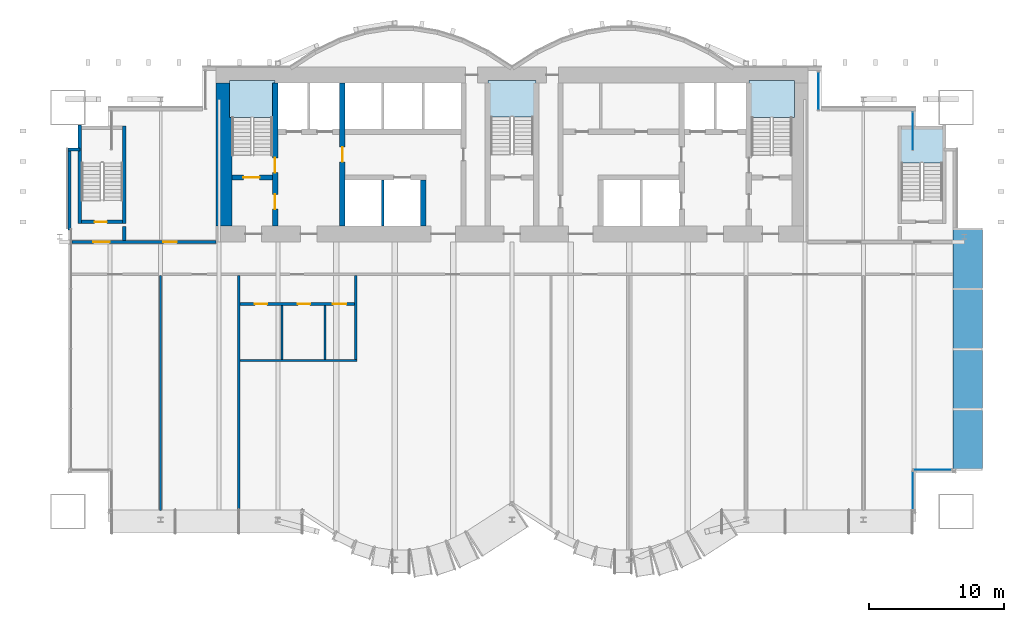
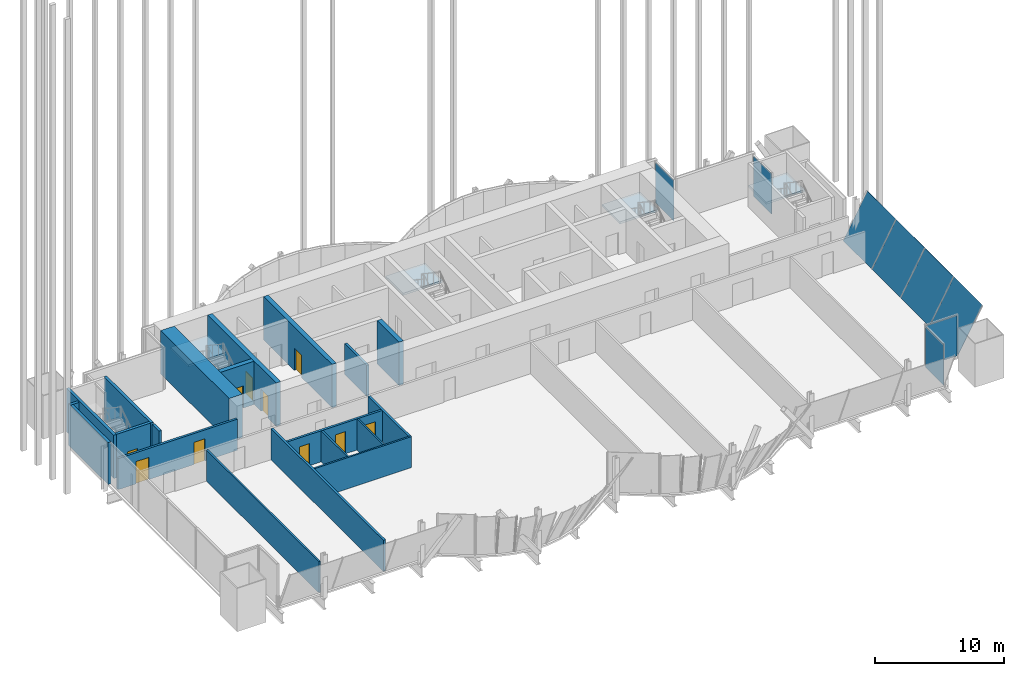
# One storey, part 28 of 33: 20 walls, 10 doors, 8 plates, 4 slabs, 10 openings, 9 elements without a shape of their own.
"""IFC4 building model written with IfcOpenShell, lengths in metres."""

import ifcopenshell
import ifcopenshell.guid

model = None  # the IFC model being written
_history = None  # IfcOwnerHistory: only IFC2X3 demands one
_inside = {}  # id of a spatial element -> (the spatial element, [elements in it])
_under = {}  # id of a project, library or spatial element -> (it, [spatial elements below it])
_declared = {}  # id of a project -> (the project, [libraries it declares])
_typed = {}  # id of a type object -> (the type object, [elements of that type])
_made_of = {}  # id of a material, layer set ... -> (it, [elements and type objects made of it])


def new_model(schema):
    """Start an empty IFC model of exactly this schema.

    Asked for "IFC4X3", IfcOpenShell would pick the latest addendum, in which some entities
    have other attributes; the version numbers below select the first issue.
    IFC2X3 requires an IfcOwnerHistory on every rooted entity: one is made here for all.
    """
    global model, _history
    if schema == "IFC4X3":
        model = ifcopenshell.file(schema_version=(4, 3, 0, 0))
    else:
        model = ifcopenshell.file(schema=schema)
    _inside.clear()
    _under.clear()
    _declared.clear()
    _typed.clear()
    _made_of.clear()
    _history = None
    if model.schema == "IFC2X3":
        org = make("IfcOrganization", Name="unknown")
        user = make(
            "IfcPersonAndOrganization",
            ThePerson=make("IfcPerson", FamilyName="unknown"),
            TheOrganization=org,
        )
        app = make(
            "IfcApplication",
            ApplicationDeveloper=org,
            Version="unknown",
            ApplicationFullName="unknown",
            ApplicationIdentifier="unknown",
        )
        _history = make(
            "IfcOwnerHistory",
            OwningUser=user,
            OwningApplication=app,
            ChangeAction="ADDED",
            CreationDate=0,
        )
    return model


def make(cls, **values):
    """One entity of the class cls with the attributes given. An attribute that is None is left unset."""
    return model.create_entity(
        cls, **{name: value for name, value in values.items() if value is not None}
    )


def rooted(cls, **values):
    """An entity with a GlobalId (a new one), such as an element, a storey or a relation."""
    return make(cls, GlobalId=ifcopenshell.guid.new(), OwnerHistory=_history, **values)


def si_unit(unit_type, name, prefix=None):
    """IfcSIUnit, for example si_unit("LENGTHUNIT", "METRE", prefix="MILLI")."""
    return make("IfcSIUnit", UnitType=unit_type, Prefix=prefix, Name=name)


def assignment(units):
    """IfcUnitAssignment: the units of a project."""
    return None if units is None else make("IfcUnitAssignment", Units=units)


def point(xyz):
    """IfcCartesianPoint."""
    return None if xyz is None else make("IfcCartesianPoint", Coordinates=xyz)


def direction(xyz):
    """IfcDirection."""
    return None if xyz is None else make("IfcDirection", DirectionRatios=xyz)


def frame(location, z_axis=None, x_axis=None):
    """IfcAxis2Placement3D, a coordinate frame: its origin and axes. An axis left out is left unset."""
    return make(
        "IfcAxis2Placement3D",
        Location=point(location),
        Axis=direction(z_axis),
        RefDirection=direction(x_axis),
    )


def frame_2d(location, x_axis=None):
    """IfcAxis2Placement2D, a coordinate frame in the plane: its origin and x axis."""
    return make(
        "IfcAxis2Placement2D", Location=point(location), RefDirection=direction(x_axis)
    )


def origin():
    """The frame at (0, 0, 0) with its axes left unset."""
    return frame((0.0, 0.0, 0.0))


def origin_2d():
    """The frame at (0, 0) in the plane with its x axis left unset."""
    return frame_2d((0.0, 0.0))


def place(relative_to, where):
    """IfcLocalPlacement: puts the frame where relative to a parent placement (None: the world)."""
    return make(
        "IfcLocalPlacement", PlacementRelTo=relative_to, RelativePlacement=where
    )


def context(
    kind, dimensions, precision=None, world=None, true_north=None, identifier=None
):
    """IfcGeometricRepresentationContext, for example the 3D "Model" context."""
    return make(
        "IfcGeometricRepresentationContext",
        ContextIdentifier=identifier,
        ContextType=kind,
        CoordinateSpaceDimension=dimensions,
        Precision=precision,
        WorldCoordinateSystem=world,
        TrueNorth=true_north,
    )


def subcontext(parent, identifier, kind, view, scale=None):
    """IfcGeometricRepresentationSubContext, for example "Body" below "Model"."""
    return make(
        "IfcGeometricRepresentationSubContext",
        ContextIdentifier=identifier,
        ContextType=kind,
        ParentContext=parent,
        TargetScale=scale,
        TargetView=view,
    )


def project(units=None, contexts=None):
    """IfcProject with its units and contexts."""
    return rooted(
        "IfcProject",
        Name="project",
        RepresentationContexts=contexts,
        UnitsInContext=assignment(units),
    )


def spatial(cls, under=None, at=None, **own):
    """A site, building, storey or space (cls), placed at a placement, below another one or the project."""
    s = rooted(cls, ObjectPlacement=at, **own)
    if under is not None:
        _under.setdefault(under.id(), (under, []))[1].append(s)
    return s


def polyline(points):
    """IfcPolyline through the points."""
    return make("IfcPolyline", Points=[point(p) for p in points])


def profile(cls, at=None, kind="AREA", **sizes):
    """A parametric profile (cls). Its sizes go by their IFC names, for example OverallWidth=200.0."""
    return make(cls, ProfileType=kind, Position=at, **sizes)


def rectangle(**sizes):
    """IfcRectangleProfileDef."""
    return profile("IfcRectangleProfileDef", **sizes)


def outline(outer, holes=None, kind="AREA"):
    """IfcArbitraryClosedProfileDef: a profile drawn as a closed curve; with holes, ...WithVoids."""
    if holes is None:
        return make("IfcArbitraryClosedProfileDef", ProfileType=kind, OuterCurve=outer)
    return make(
        "IfcArbitraryProfileDefWithVoids",
        ProfileType=kind,
        OuterCurve=outer,
        InnerCurves=holes,
    )


def extrude(swept, where, along, depth):
    """IfcExtrudedAreaSolid: the profile swept, set in the frame where, extruded along a direction by depth."""
    return make(
        "IfcExtrudedAreaSolid",
        SweptArea=swept,
        Position=where,
        ExtrudedDirection=direction(along),
        Depth=depth,
    )


def shape(context_of_items, identifier, shape_type, items):
    """IfcShapeRepresentation: the items that make up one representation, for example the "Body"."""
    return make(
        "IfcShapeRepresentation",
        ContextOfItems=context_of_items,
        RepresentationIdentifier=identifier,
        RepresentationType=shape_type,
        Items=items,
    )


def material(Name=None, Category=None):
    """IfcMaterial."""
    return make("IfcMaterial", Name=Name, Category=Category)


def layer(
    of_material, thickness, ventilated=None, Name=None, Category=None, Priority=None
):
    """IfcMaterialLayer: one layer of a wall or slab, of a material (None: an air gap)."""
    return make(
        "IfcMaterialLayer",
        Material=of_material,
        LayerThickness=thickness,
        IsVentilated=ventilated,
        Name=Name,
        Category=Category,
        Priority=Priority,
    )


def layer_set(layers, Name=None):
    """IfcMaterialLayerSet."""
    return make("IfcMaterialLayerSet", MaterialLayers=layers, LayerSetName=Name)


def layer_usage(for_layer_set, set_direction, sense, offset, extent=None):
    """IfcMaterialLayerSetUsage: how a layer set lies in its element."""
    return make(
        "IfcMaterialLayerSetUsage",
        ForLayerSet=for_layer_set,
        LayerSetDirection=set_direction,
        DirectionSense=sense,
        OffsetFromReferenceLine=offset,
        ReferenceExtent=extent,
    )


def made_of(thing, what):
    """Note that an element or type object is made of a material, layer set ...; save() writes the relation."""
    if what is not None:
        _made_of.setdefault(what.id(), (what, []))[1].append(thing)
    return thing


def type_object(cls, material=None, **own):
    """A type object (cls), such as IfcWallType, which elements share."""
    return made_of(rooted(cls, **own), material)


def element(
    cls,
    number,
    at=None,
    inside=None,
    cuts=None,
    type_object=None,
    material=None,
    context=None,
    identifier="Body",
    shape_type=None,
    held_by="IfcProductDefinitionShape",
    body=None,
    shapes=None,
    **own,
):
    """One element of the class cls, such as IfcWall. Its Tag is "e" and its number.

    at: its placement. inside: the storey or other place that contains it. cuts: it is an
    opening in that element (IfcRelVoidsElement). A single representation is given by context,
    identifier, shape_type and body (its items); several are given by shapes. held_by: the class
    of the entity that holds the representations. save() writes the other relations.
    """
    e = rooted(cls, Tag="e%d" % number, ObjectPlacement=at, **own)
    if body is not None:
        shapes = [shape(context, identifier, shape_type, body)]
    if shapes is not None:
        e.Representation = make(held_by, Representations=shapes)
    if inside is not None:
        _inside.setdefault(inside.id(), (inside, []))[1].append(e)
    if cuts is not None:
        rooted(
            "IfcRelVoidsElement", RelatingBuildingElement=cuts, RelatedOpeningElement=e
        )
    if type_object is not None:
        _typed.setdefault(type_object.id(), (type_object, []))[1].append(e)
    return made_of(e, material)


def fill(opening, filler):
    """IfcRelFillsElement: the door or window that sits in an opening."""
    return rooted(
        "IfcRelFillsElement",
        RelatingOpeningElement=opening,
        RelatedBuildingElement=filler,
    )


def aggregate(whole, parts):
    """IfcRelAggregates: a whole, such as a stair, and the parts it consists of."""
    return rooted("IfcRelAggregates", RelatingObject=whole, RelatedObjects=parts)


def save(model, path):
    """Write the relations noted so far, then the file.

    IfcRelAggregates (storeys below a building ...), IfcRelContainedInSpatialStructure (elements
    in a storey), IfcRelDefinesByType, IfcRelAssociatesMaterial and IfcRelDeclares: one each for
    every whole, place, type object, material and project.
    """
    for whole, parts in _under.values():
        aggregate(whole, parts)
    for where, things in _inside.values():
        rooted(
            "IfcRelContainedInSpatialStructure",
            RelatedElements=things,
            RelatingStructure=where,
        )
    for kind, things in _typed.values():
        rooted("IfcRelDefinesByType", RelatedObjects=things, RelatingType=kind)
    for what, things in _made_of.values():
        rooted("IfcRelAssociatesMaterial", RelatedObjects=things, RelatingMaterial=what)
    for by, libraries in _declared.values():
        rooted("IfcRelDeclares", RelatingContext=by, RelatedDefinitions=libraries)
    model.write(path)


model = new_model("IFC4")

# Units and contexts
model_context = context("Model", 3, precision=1e-05, world=origin(), true_north=direction((0.0, 1.0)))
body_context = subcontext(model_context, "Body", "Model", "MODEL_VIEW")
ifc_project = project(units=[si_unit("LENGTHUNIT", "METRE"), si_unit("AREAUNIT", "SQUARE_METRE"), si_unit("VOLUMEUNIT", "CUBIC_METRE"), si_unit("PLANEANGLEUNIT", "RADIAN"), si_unit("MASSUNIT", "GRAM", prefix="KILO")], contexts=[model_context])

# Site, building, storey
site_placement = place(None, origin())
site = spatial("IfcSite", under=ifc_project, at=site_placement, CompositionType="ELEMENT")
building_placement = place(site_placement, origin())
building = spatial("IfcBuilding", under=site, at=building_placement, Name="Bicima Exchange Tower", CompositionType="ELEMENT")
storey_placement = place(building_placement, frame((0.0, 0.0, 140.39990234375)))
storey = spatial("IfcBuildingStorey", under=building, at=storey_placement, Name="L30", CompositionType="ELEMENT", Elevation=140.39990234375)

# Curtain wall, plate
ifc_material_1 = material(Name="Anodised bronze aluminium", Category="aluminium")
curtain_wall_type = type_object("IfcCurtainWallType", Name="Front glass wall", PredefinedType="NOTDEFINED", material=ifc_material_1)
curtain_wall_1_placement = place(storey_placement, origin())
curtain_wall_1 = element("IfcCurtainWall", 1, at=curtain_wall_1_placement, inside=storey, type_object=curtain_wall_type, Name="Front glass wall L30 run 2", PredefinedType="NOTDEFINED")
ifc_material_2 = material(Name="Bronze tinted glass", Category="glass")
ifc_layer_1 = layer(ifc_material_2, 0.031982421875)
ifc_layer_set_1 = layer_set([ifc_layer_1], Name="Bronze tinted glass")
plate_type_1 = type_object("IfcPlateType", Name="Front glass wall glass panel 32", PredefinedType="CURTAIN_PANEL", material=ifc_layer_set_1)
plate_1_placement = place(storey_placement, frame((29.77001953125, -4.77001953125, 0.0), z_axis=(0.0, 0.0, 1.0), x_axis=(0.0, 1.0, 0.0)))
plate_1 = element("IfcPlate", 2, at=plate_1_placement, type_object=plate_type_1, Name="Front glass wall panel 1.1", PredefinedType="CURTAIN_PANEL", context=body_context, shape_type="SweptSolid", body=[
    extrude(rectangle(XDim=2.800048828125, YDim=0.031982421875, at=origin_2d()), origin(), (0.0, 0.0, 1.0), 3.81005859375),
])
aggregate(curtain_wall_1, [plate_1])

curtain_wall_2_placement = place(storey_placement, origin())
curtain_wall_2 = element("IfcCurtainWall", 3, at=curtain_wall_2_placement, inside=storey, type_object=curtain_wall_type, Name="Front glass wall L30 run 3", PredefinedType="NOTDEFINED")
plate_2_placement = place(storey_placement, frame((22.77001953125, -1.77001953125, 0.0), z_axis=(0.0, 0.0, 1.0), x_axis=(0.0, 1.0, 0.0)))
plate_2 = element("IfcPlate", 4, at=plate_2_placement, type_object=plate_type_1, Name="Front glass wall panel 1.1", PredefinedType="CURTAIN_PANEL", context=body_context, shape_type="SweptSolid", body=[
    extrude(rectangle(XDim=2.800048828125, YDim=0.031982421875, at=origin_2d()), origin(), (0.0, 0.0, 1.0), 3.81005859375),
])
aggregate(curtain_wall_2, [plate_2])

curtain_wall_3_placement = place(storey_placement, origin())
curtain_wall_3 = element("IfcCurtainWall", 5, at=curtain_wall_3_placement, inside=storey, type_object=curtain_wall_type, Name="Front glass wall L30 run 21", PredefinedType="NOTDEFINED")
plate_3_placement = place(storey_placement, frame((29.77001953125, -31.4541015625, 0.0), z_axis=(0.0, 0.0, 1.0), x_axis=(0.0, 1.0, 0.0)))
plate_3 = element("IfcPlate", 6, at=plate_3_placement, type_object=plate_type_1, Name="Front glass wall panel 1.1", PredefinedType="CURTAIN_PANEL", context=body_context, shape_type="SweptSolid", body=[
    extrude(rectangle(XDim=2.800048828125, YDim=0.031982421875, at=origin_2d()), origin(), (0.0, 0.0, 1.0), 3.81005859375),
])
aggregate(curtain_wall_3, [plate_3])

curtain_wall_4_placement = place(storey_placement, origin())
curtain_wall_4 = element("IfcCurtainWall", 7, at=curtain_wall_4_placement, inside=storey, type_object=curtain_wall_type, Name="Front glass wall L30 run 22", PredefinedType="NOTDEFINED")
plate_4_placement = place(storey_placement, frame((31.22998046875, -29.9140625, 0.0), z_axis=(0.0, 0.0, 1.0), x_axis=(1.0, 0.0, 0.0)))
plate_4 = element("IfcPlate", 8, at=plate_4_placement, type_object=plate_type_1, Name="Front glass wall panel 1.1", PredefinedType="CURTAIN_PANEL", context=body_context, shape_type="SweptSolid", body=[
    extrude(rectangle(XDim=2.800048828125, YDim=0.031982421875, at=origin_2d()), origin(), (0.0, 0.0, 1.0), 3.81005859375),
])
aggregate(curtain_wall_4, [plate_4])

# Curtain wall, plates
curtain_wall_5_placement = place(storey_placement, origin())
curtain_wall_5 = element("IfcCurtainWall", 9, at=curtain_wall_5_placement, inside=storey, type_object=curtain_wall_type, Name="Canted glass wall L30 1.1", PredefinedType="NOTDEFINED")
plate_5_placement = place(storey_placement, frame((32.77001953125, -29.85400390625, 0.0), z_axis=(-0.876673101154, 0.0, 0.481086555324), x_axis=(0.0, 1.0, 0.0)))
plate_5 = element("IfcPlate", 10, at=plate_5_placement, type_object=plate_type_1, Name="Canted glass panel 1", PredefinedType="CURTAIN_PANEL", context=body_context, shape_type="SweptSolid", body=[
    extrude(outline(polyline([(0.0, 0.0), (4.403564453125, 0.0), (4.403564453125, -4.505893139987562), (0.0, -4.505893139987562), (0.0, 0.0)])), origin(), (0.0, 0.0, -1.0), 0.031982421875),
])
plate_6_placement = place(storey_placement, frame((32.77001953125, -25.390380859375, 0.0), z_axis=(-0.876673101154, 0.0, 0.481086555324), x_axis=(0.0, 1.0, 0.0)))
plate_6 = element("IfcPlate", 11, at=plate_6_placement, type_object=plate_type_1, Name="Canted glass panel 2", PredefinedType="CURTAIN_PANEL", context=body_context, shape_type="SweptSolid", body=[
    extrude(outline(polyline([(0.0, 0.0), (4.4033203125, 0.0), (4.4033203125, -4.5058931399875615), (0.0, -4.5058931399875615), (0.0, 0.0)])), origin(), (0.0, 0.0, -1.0), 0.031982421875),
])
ifc_material_3 = material(Name="Bronze anodised aluminium", Category="aluminium")
ifc_layer_2 = layer(ifc_material_3, 0.031982421875)
ifc_layer_set_2 = layer_set([ifc_layer_2], Name="Bronze anodised aluminium")
plate_type_2 = type_object("IfcPlateType", Name="Front glass wall spandrel panel 32", PredefinedType="CURTAIN_PANEL", material=ifc_layer_set_2)
plate_7_placement = place(storey_placement, frame((32.77001953125, -20.927001953125, 0.0), z_axis=(-0.876673101154, 0.0, 0.481086555324), x_axis=(0.0, 1.0, 0.0)))
plate_7 = element("IfcPlate", 12, at=plate_7_placement, type_object=plate_type_2, Name="Canted glass panel 3", PredefinedType="CURTAIN_PANEL", context=body_context, shape_type="SweptSolid", body=[
    extrude(outline(polyline([(0.0, 0.0), (4.403564453125, 0.0), (4.403564453125, -4.505893139987562), (0.0, -4.505893139987562), (0.0, 0.0)])), origin(), (0.0, 0.0, -1.0), 0.031982421875),
])
plate_8_placement = place(storey_placement, frame((32.77001953125, -16.46337890625, 0.0), z_axis=(-0.876673101154, 0.0, 0.481086555324), x_axis=(0.0, 1.0, 0.0)))
plate_8 = element("IfcPlate", 13, at=plate_8_placement, type_object=plate_type_2, Name="Canted glass panel 4", PredefinedType="CURTAIN_PANEL", context=body_context, shape_type="SweptSolid", body=[
    extrude(outline(polyline([(0.0, 0.0), (4.4033203125, 0.0), (4.4033203125, -4.5058931399875615), (0.0, -4.5058931399875615), (0.0, 0.0)])), origin(), (0.0, 0.0, -1.0), 0.031982421875),
])
aggregate(curtain_wall_5, [plate_5, plate_6, plate_7, plate_8])

# Stair, slab
ifc_material_4 = material(Name="Concrete C50/60", Category="concrete")
stair_type_1 = type_object("IfcStairType", Name="Exit stair", PredefinedType="HALF_TURN_STAIR", material=ifc_material_4)
stair_1_placement = place(storey_placement, origin())
stair_1 = element("IfcStair", 14, at=stair_1_placement, inside=storey, type_object=stair_type_1, Name="L30 West exit stair", PredefinedType="HALF_TURN_STAIR")
ifc_layer_3 = layer(ifc_material_4, 0.199951171875)
ifc_layer_set_3 = layer_set([ifc_layer_3], Name="Concrete C50/60")
slab_type = type_object("IfcSlabType", Name="Stair landing slab", PredefinedType="LANDING", material=ifc_layer_set_3)
slab_1_placement = place(storey_placement, frame((0.0, 0.0, 1.85009765625)))
slab_1 = element("IfcSlab", 15, at=slab_1_placement, type_object=slab_type, Name="ST-W landing 1", PredefinedType="LANDING", context=body_context, shape_type="SweptSolid", body=[
    extrude(outline(polyline([(-17.60009765625, -3.75), (-17.60009765625, -1.0), (-21.0, -1.0), (-21.0, -3.75), (-17.60009765625, -3.75)])), origin(), (0.0, 0.0, 1.0), 0.199951171875),
])
aggregate(stair_1, [slab_1])

stair_type_2 = type_object("IfcStairType", Name="Exit stair 1500", PredefinedType="HALF_TURN_STAIR", material=ifc_material_4)
stair_2_placement = place(storey_placement, origin())
stair_2 = element("IfcStair", 16, at=stair_2_placement, inside=storey, type_object=stair_type_2, Name="L30 Central exit stair", PredefinedType="HALF_TURN_STAIR")
slab_2_placement = place(storey_placement, frame((0.0, 0.0, 1.85009765625)))
slab_2 = element("IfcSlab", 17, at=slab_2_placement, type_object=slab_type, Name="ST-C landing 1", PredefinedType="LANDING", context=body_context, shape_type="SweptSolid", body=[
    extrude(outline(polyline([(1.77490234375, -3.699951171875), (1.77490234375, -1.0), (-1.77490234375, -1.0), (-1.77490234375, -3.699951171875), (1.77490234375, -3.699951171875)])), origin(), (0.0, 0.0, 1.0), 0.199951171875),
])
aggregate(stair_2, [slab_2])

stair_3_placement = place(storey_placement, origin())
stair_3 = element("IfcStair", 18, at=stair_3_placement, inside=storey, type_object=stair_type_1, Name="L30 East exit stair", PredefinedType="HALF_TURN_STAIR")
slab_3_placement = place(storey_placement, frame((0.0, 0.0, 1.85009765625)))
slab_3 = element("IfcSlab", 19, at=slab_3_placement, type_object=slab_type, Name="ST-E landing 1", PredefinedType="LANDING", context=body_context, shape_type="SweptSolid", body=[
    extrude(outline(polyline([(21.0, -3.75), (21.0, -1.0), (17.60009765625, -1.0), (17.60009765625, -3.75), (21.0, -3.75)])), origin(), (0.0, 0.0, 1.0), 0.199951171875),
])
aggregate(stair_3, [slab_3])

stair_4_placement = place(storey_placement, origin())
stair_4 = element("IfcStair", 20, at=stair_4_placement, inside=storey, type_object=stair_type_1, Name="L30 East end exit stair", PredefinedType="HALF_TURN_STAIR")
slab_4_placement = place(storey_placement, frame((0.0, 0.0, 1.85009765625)))
slab_4 = element("IfcSlab", 21, at=slab_4_placement, type_object=slab_type, Name="ST-EE landing 1", PredefinedType="LANDING", context=body_context, shape_type="SweptSolid", body=[
    extrude(outline(polyline([(32.175048828125, -7.125), (32.175048828125, -4.425048828125), (28.72509765625, -4.425048828125), (28.72509765625, -7.125), (32.175048828125, -7.125)])), origin(), (0.0, 0.0, 1.0), 0.199951171875),
])
aggregate(stair_4, [slab_4])

# Wall
ifc_material_5 = material(Name="Gypsum board partition")
ifc_layer_4 = layer(ifc_material_5, 0.199951171875)
ifc_layer_set_4 = layer_set([ifc_layer_4], Name="Gypsum board partition")
wall_type_1 = type_object("IfcWallType", Name="Fire-rated gypsum partition 200 EI120", PredefinedType="PARTITIONING", material=ifc_layer_set_4)
wall_1_placement = place(storey_placement, frame((-9.60009765625, -11.800048828125, 0.0), z_axis=(0.0, 0.0, 1.0), x_axis=(0.0, 1.0, 0.0)))
element("IfcWall", 22, at=wall_1_placement, inside=storey, type_object=wall_type_1, Name="partition wall 11", PredefinedType="PARTITIONING", context=body_context, shape_type="SweptSolid", body=[
    extrude(rectangle(XDim=3.400146484375, YDim=0.199951171875, at=frame_2d((1.7001953125, 0.0))), origin(), (0.0, 0.0, 1.0), 2.939453125),
])

# Wall, openings, doors
ifc_layer_5 = layer(ifc_material_5, 0.199951171875)
ifc_layer_set_5 = layer_set([ifc_layer_5], Name="Gypsum board partition")
wall_type_2 = type_object("IfcWallType", Name="Fire-rated gypsum partition 200 EI60", PredefinedType="PARTITIONING", material=ifc_layer_set_5)
wall_2_placement = place(storey_placement, frame((-20.199951171875, -17.60009765625, 0.0), z_axis=(0.0, 0.0, 1.0), x_axis=(1.0, 0.0, 0.0)))
wall_2 = element("IfcWall", 23, at=wall_2_placement, inside=storey, type_object=wall_type_2, Name="partition wall 2", PredefinedType="PARTITIONING", context=body_context, shape_type="SweptSolid", body=[
    extrude(rectangle(XDim=8.5, YDim=0.199951171875, at=frame_2d((4.25, 0.0))), origin(), (0.0, 0.0, 1.0), 2.939453125),
])
opening_1_placement = place(wall_2_placement, frame((1.10009765625, 0.0, 0.0)))
opening_1 = element("IfcOpeningElement", 24, at=opening_1_placement, cuts=wall_2, Name="Opening L30-010", PredefinedType="OPENING", context=body_context, shape_type="SweptSolid", body=[
    extrude(rectangle(XDim=0.89990234375, YDim=2.10009765625, at=frame_2d((0.449951171875, 1.050048828125))), frame((0.0, 0.11181640625, 0.0), z_axis=(0.0, -1.0, 0.0), x_axis=(1.0, 0.0, 0.0)), (0.0, 0.0, 1.0), 0.223876953125),
])
opening_2_placement = place(wall_2_placement, frame((4.300048828125, 0.0, 0.0)))
opening_2 = element("IfcOpeningElement", 25, at=opening_2_placement, cuts=wall_2, Name="Opening L30-011", PredefinedType="OPENING", context=body_context, shape_type="SweptSolid", body=[
    extrude(rectangle(XDim=0.89990234375, YDim=2.10009765625, at=frame_2d((0.449951171875, 1.050048828125))), frame((0.0, 0.11181640625, 0.0), z_axis=(0.0, -1.0, 0.0), x_axis=(1.0, 0.0, 0.0)), (0.0, 0.0, 1.0), 0.223876953125),
])
opening_3_placement = place(wall_2_placement, frame((6.89990234375, 0.0, 0.0)))
opening_3 = element("IfcOpeningElement", 26, at=opening_3_placement, cuts=wall_2, Name="Opening L30-012", PredefinedType="OPENING", context=body_context, shape_type="SweptSolid", body=[
    extrude(rectangle(XDim=1.0, YDim=2.10009765625, at=frame_2d((0.5, 1.050048828125))), frame((0.0, 0.11181640625, 0.0), z_axis=(0.0, -1.0, 0.0), x_axis=(1.0, 0.0, 0.0)), (0.0, 0.0, 1.0), 0.223876953125),
])
ifc_material_6 = material(Name="Steel fire door leaf", Category="steel")
door_type_1 = type_object("IfcDoorType", Name="Door 1000 swing FD30S", OperationType="SINGLE_SWING_LEFT", PredefinedType="DOOR", material=ifc_material_6)
door_1_placement = place(opening_3_placement, frame((1.0, 0.0, 0.0), z_axis=(0.0, 0.0, 1.0), x_axis=(-1.0, 0.0, 0.0)))
door_1 = element("IfcDoor", 27, at=door_1_placement, inside=storey, type_object=door_type_1, Name="Door", OperationType="SINGLE_SWING_RIGHT", OverallHeight=2.10009765625, OverallWidth=1.0, PredefinedType="DOOR", context=body_context, shape_type="SweptSolid", body=[
    extrude(rectangle(XDim=1.0, YDim=2.10009765625, at=frame_2d((0.5, 1.050048828125))), frame((0.0, 0.02490234375, 0.0), z_axis=(0.0, -1.0, 0.0), x_axis=(1.0, 0.0, 0.0)), (0.0, 0.0, 1.0), 0.050048828125),
])
fill(opening_3, door_1)
door_type_2 = type_object("IfcDoorType", Name="Door 900 swing FD30S", OperationType="SINGLE_SWING_LEFT", PredefinedType="DOOR", material=ifc_material_6)
door_2_placement = place(opening_1_placement, frame((0.89990234375, 0.0, 0.0), z_axis=(0.0, 0.0, 1.0), x_axis=(-1.0, 0.0, 0.0)))
door_2 = element("IfcDoor", 28, at=door_2_placement, inside=storey, type_object=door_type_2, Name="Door", OperationType="SINGLE_SWING_LEFT", OverallHeight=2.10009765625, OverallWidth=0.89990234375, PredefinedType="DOOR", context=body_context, shape_type="SweptSolid", body=[
    extrude(rectangle(XDim=0.89990234375, YDim=2.10009765625, at=frame_2d((0.449951171875, 1.050048828125))), frame((0.0, 0.02490234375, 0.0), z_axis=(0.0, -1.0, 0.0), x_axis=(1.0, 0.0, 0.0)), (0.0, 0.0, 1.0), 0.050048828125),
])
fill(opening_1, door_2)
door_3_placement = place(opening_2_placement, frame((0.89990234375, 0.0, 0.0), z_axis=(0.0, 0.0, 1.0), x_axis=(-1.0, 0.0, 0.0)))
door_3 = element("IfcDoor", 29, at=door_3_placement, inside=storey, type_object=door_type_2, Name="Door", OperationType="SINGLE_SWING_RIGHT", OverallHeight=2.10009765625, OverallWidth=0.89990234375, PredefinedType="DOOR", context=body_context, shape_type="SweptSolid", body=[
    extrude(rectangle(XDim=0.89990234375, YDim=2.10009765625, at=frame_2d((0.449951171875, 1.050048828125))), frame((0.0, 0.02490234375, 0.0), z_axis=(0.0, -1.0, 0.0), x_axis=(1.0, 0.0, 0.0)), (0.0, 0.0, 1.0), 0.050048828125),
])
fill(opening_2, door_3)

wall_3_placement = place(storey_placement, frame((-32.699951171875, -13.0, 0.0), z_axis=(0.0, 0.0, 1.0), x_axis=(1.0, 0.0, 0.0)))
wall_3 = element("IfcWall", 30, at=wall_3_placement, inside=storey, type_object=wall_type_2, Name="partition wall 4", PredefinedType="PARTITIONING", context=body_context, shape_type="SweptSolid", body=[
    extrude(rectangle(XDim=10.699951171875, YDim=0.199951171875, at=frame_2d((5.35009765625, 0.0))), origin(), (0.0, 0.0, 1.0), 2.939453125),
])
opening_4_placement = place(wall_3_placement, frame((1.60009765625, 0.0, 0.0)))
opening_4 = element("IfcOpeningElement", 31, at=opening_4_placement, cuts=wall_3, Name="Opening L30-001", PredefinedType="OPENING", context=body_context, shape_type="SweptSolid", body=[
    extrude(rectangle(XDim=1.199951171875, YDim=2.10009765625, at=frame_2d((0.60009765625, 1.050048828125))), frame((0.0, 0.11181640625, 0.0), z_axis=(0.0, -1.0, 0.0), x_axis=(1.0, 0.0, 0.0)), (0.0, 0.0, 1.0), 0.223876953125),
])
opening_5_placement = place(wall_3_placement, frame((6.800048828125, 0.0, 0.0)))
opening_5 = element("IfcOpeningElement", 32, at=opening_5_placement, cuts=wall_3, Name="Opening L30-005", PredefinedType="OPENING", context=body_context, shape_type="SweptSolid", body=[
    extrude(rectangle(XDim=1.0, YDim=2.10009765625, at=frame_2d((0.5, 1.050048828125))), frame((0.0, 0.11181640625, 0.0), z_axis=(0.0, -1.0, 0.0), x_axis=(1.0, 0.0, 0.0)), (0.0, 0.0, 1.0), 0.223876953125),
])
door_4_placement = place(opening_5_placement, origin())
door_4 = element("IfcDoor", 33, at=door_4_placement, inside=storey, type_object=door_type_1, Name="Door", OperationType="SINGLE_SWING_LEFT", OverallHeight=2.10009765625, OverallWidth=1.0, PredefinedType="DOOR", context=body_context, shape_type="SweptSolid", body=[
    extrude(rectangle(XDim=1.0, YDim=2.10009765625, at=frame_2d((0.5, 1.050048828125))), frame((0.0, 0.02490234375, 0.0), z_axis=(0.0, -1.0, 0.0), x_axis=(1.0, 0.0, 0.0)), (0.0, 0.0, 1.0), 0.050048828125),
])
fill(opening_5, door_4)
door_type_3 = type_object("IfcDoorType", Name="Door 1200 swing FD30S", OperationType="SINGLE_SWING_LEFT", PredefinedType="DOOR", material=ifc_material_6)
door_5_placement = place(opening_4_placement, origin())
door_5 = element("IfcDoor", 34, at=door_5_placement, inside=storey, type_object=door_type_3, Name="Door", OperationType="SINGLE_SWING_LEFT", OverallHeight=2.10009765625, OverallWidth=1.199951171875, PredefinedType="DOOR", context=body_context, shape_type="SweptSolid", body=[
    extrude(rectangle(XDim=1.199951171875, YDim=2.10009765625, at=frame_2d((0.60009765625, 1.050048828125))), frame((0.0, 0.02490234375, 0.0), z_axis=(0.0, -1.0, 0.0), x_axis=(1.0, 0.0, 0.0)), (0.0, 0.0, 1.0), 0.050048828125),
])
fill(opening_4, door_5)

# Walls
wall_4_placement = place(storey_placement, frame((-20.300048828125, -32.929931640625, 0.0), z_axis=(0.0, 0.0, 1.0), x_axis=(0.0, 1.0, 0.0)))
element("IfcWall", 35, at=wall_4_placement, inside=storey, type_object=wall_type_2, Name="partition wall 16", PredefinedType="PARTITIONING", context=body_context, shape_type="SweptSolid", body=[
    extrude(rectangle(XDim=17.429931640625, YDim=0.199951171875, at=frame_2d((8.71484375, 0.0))), origin(), (0.0, 0.0, 1.0), 2.939453125),
])
wall_5_placement = place(storey_placement, frame((-11.60009765625, -21.72509765625, 0.0), z_axis=(0.0, 0.0, 1.0), x_axis=(0.0, 1.0, 0.0)))
element("IfcWall", 36, at=wall_5_placement, inside=storey, type_object=wall_type_2, Name="partition wall 19", PredefinedType="PARTITIONING", context=body_context, shape_type="SweptSolid", body=[
    extrude(rectangle(XDim=6.22509765625, YDim=0.199951171875, at=frame_2d((3.112548828125, 0.0))), origin(), (0.0, 0.0, 1.0), 2.939453125),
])
ifc_layer_6 = layer(ifc_material_5, 0.14990234375)
ifc_layer_set_6 = layer_set([ifc_layer_6], Name="Gypsum board partition")
wall_type_3 = type_object("IfcWallType", Name="Gypsum partition 150", PredefinedType="PARTITIONING", material=ifc_layer_set_6)
wall_6_placement = place(storey_placement, frame((-20.199951171875, -21.800048828125, 0.0), z_axis=(0.0, 0.0, 1.0), x_axis=(1.0, 0.0, 0.0)))
element("IfcWall", 37, at=wall_6_placement, inside=storey, type_object=wall_type_3, Name="partition wall 1", PredefinedType="PARTITIONING", context=body_context, shape_type="SweptSolid", body=[
    extrude(rectangle(XDim=8.699951171875, YDim=0.14990234375, at=frame_2d((4.35009765625, 0.0))), origin(), (0.0, 0.0, 1.0), 2.939453125),
])
wall_7_placement = place(storey_placement, frame((-26.10009765625, -32.929931640625, 0.0), z_axis=(0.0, 0.0, 1.0), x_axis=(0.0, 1.0, 0.0)))
element("IfcWall", 38, at=wall_7_placement, inside=storey, type_object=wall_type_3, Name="partition wall 15", PredefinedType="PARTITIONING", context=body_context, shape_type="SweptSolid", body=[
    extrude(rectangle(XDim=17.429931640625, YDim=0.14990234375, at=frame_2d((8.71484375, 0.0))), origin(), (0.0, 0.0, 1.0), 2.939453125),
])
for number, where, z_axis, x_axis, name in (
    (39, (-17.10009765625, -21.72509765625, 0.0), (0.0, 0.0, 1.0), (0.0, 1.0, 0.0), "partition wall 17"),
    (40, (-13.89990234375, -21.72509765625, 0.0), (0.0, 0.0, 1.0), (0.0, 1.0, 0.0), "partition wall 18"),
):
    element("IfcWall", number, at=place(storey_placement, frame(where, z_axis=z_axis, x_axis=x_axis)), inside=storey, type_object=wall_type_3, Name=name, PredefinedType="PARTITIONING", context=body_context, shape_type="SweptSolid", body=[
        extrude(rectangle(XDim=4.025146484375, YDim=0.14990234375, at=frame_2d((2.0126953125, 0.0))), origin(), (0.0, 0.0, 1.0), 2.939453125),
    ])
ifc_layer_7 = layer(ifc_material_4, 1.199951171875)
ifc_layer_set_7 = layer_set([ifc_layer_7], Name="Concrete C50/60")
wall_type_4 = type_object("IfcWallType", Name="RC core wall 1200 C50/60", PredefinedType="SHEAR", material=ifc_layer_set_7)
wall_8_placement = place(storey_placement, frame((-21.39990234375, -11.800048828125, 0.0), z_axis=(0.0, 0.0, 1.0), x_axis=(0.0, 1.0, 0.0)))
element("IfcWall", 41, at=wall_8_placement, inside=storey, type_object=wall_type_4, Name="Core wall west", PredefinedType="SHEAR", context=body_context, shape_type="SweptSolid", body=[
    extrude(rectangle(XDim=10.60009765625, YDim=1.199951171875, at=frame_2d((5.300048828125, 0.0))), origin(), (0.0, 0.0, 1.0), 4.10009765625),
])
ifc_layer_8 = layer(ifc_material_4, 0.25)
ifc_layer_set_8 = layer_set([ifc_layer_8], Name="Concrete C50/60")
wall_type_5 = type_object("IfcWallType", Name="RC core wall 250 C50/60", PredefinedType="SHEAR", material=ifc_layer_set_8)
wall_9_placement = place(storey_placement, frame((-28.800048828125, -12.89990234375, 0.0), z_axis=(0.0, 0.0, 1.0), x_axis=(0.0, 1.0, 0.0)))
element("IfcWall", 42, at=wall_9_placement, inside=storey, type_object=wall_type_5, Name="stair wall 14", PredefinedType="SHEAR", context=body_context, shape_type="SweptSolid", body=[
    extrude(rectangle(XDim=1.0498046875, YDim=0.25, at=frame_2d((0.52490234375, 0.0))), origin(), (0.0, 0.0, 1.0), 4.10009765625),
])

# Wall, opening, door
ifc_layer_9 = layer(ifc_material_4, 0.39990234375)
ifc_layer_set_9 = layer_set([ifc_layer_9], Name="Concrete C50/60")
wall_type_6 = type_object("IfcWallType", Name="RC core wall 400 C50/60", PredefinedType="SHEAR", material=ifc_layer_set_9)
wall_10_placement = place(storey_placement, frame((-20.800048828125, -8.199951171875, 0.0), z_axis=(0.0, 0.0, 1.0), x_axis=(1.0, 0.0, 0.0)))
wall_10 = element("IfcWall", 43, at=wall_10_placement, inside=storey, type_object=wall_type_6, Name="stair wall 1", PredefinedType="SHEAR", context=body_context, shape_type="SweptSolid", body=[
    extrude(rectangle(XDim=3.0, YDim=0.39990234375, at=frame_2d((1.5, 0.0))), origin(), (0.0, 0.0, 1.0), 4.10009765625),
])
opening_6_placement = place(wall_10_placement, frame((0.85009765625, 0.0, 0.0)))
opening_6 = element("IfcOpeningElement", 44, at=opening_6_placement, cuts=wall_10, Name="Opening L30-C01", PredefinedType="OPENING", context=body_context, shape_type="SweptSolid", body=[
    extrude(rectangle(XDim=1.199951171875, YDim=2.10009765625, at=frame_2d((0.60009765625, 1.050048828125))), frame((0.0, 0.2119140625, 0.0), z_axis=(0.0, -1.0, 0.0), x_axis=(1.0, 0.0, 0.0)), (0.0, 0.0, 1.0), 0.423828125),
])
door_type_4 = type_object("IfcDoorType", Name="Door 1200 swing FD60S", OperationType="SINGLE_SWING_LEFT", PredefinedType="DOOR", material=ifc_material_6)
door_6_placement = place(opening_6_placement, origin())
door_6 = element("IfcDoor", 45, at=door_6_placement, inside=storey, type_object=door_type_4, Name="Core door", OperationType="SINGLE_SWING_LEFT", OverallHeight=2.10009765625, OverallWidth=1.199951171875, PredefinedType="DOOR", context=body_context, shape_type="SweptSolid", body=[
    extrude(rectangle(XDim=1.199951171875, YDim=2.10009765625, at=frame_2d((0.60009765625, 1.050048828125))), frame((0.0, 0.02490234375, 0.0), z_axis=(0.0, -1.0, 0.0), x_axis=(1.0, 0.0, 0.0)), (0.0, 0.0, 1.0), 0.050048828125),
])
fill(opening_6, door_6)

# Wall, openings, doors
wall_11_placement = place(storey_placement, frame((-17.60009765625, -11.800048828125, 0.0), z_axis=(0.0, 0.0, 1.0), x_axis=(0.0, 1.0, 0.0)))
wall_11 = element("IfcWall", 46, at=wall_11_placement, inside=storey, type_object=wall_type_6, Name="stair wall 8", PredefinedType="SHEAR", context=body_context, shape_type="SweptSolid", body=[
    extrude(rectangle(XDim=10.60009765625, YDim=0.39990234375, at=frame_2d((5.300048828125, 0.0))), origin(), (0.0, 0.0, 1.0), 4.10009765625),
])
opening_7_placement = place(wall_11_placement, frame((1.25, 0.0, 0.0)))
opening_7 = element("IfcOpeningElement", 47, at=opening_7_placement, cuts=wall_11, Name="Opening L30-C02", PredefinedType="OPENING", context=body_context, shape_type="SweptSolid", body=[
    extrude(rectangle(XDim=1.10009765625, YDim=2.10009765625, at=frame_2d((0.550048828125, 1.050048828125))), frame((0.0, 0.2119140625, 0.0), z_axis=(0.0, -1.0, 0.0), x_axis=(1.0, 0.0, 0.0)), (0.0, 0.0, 1.0), 0.423828125),
])
opening_8_placement = place(wall_11_placement, frame((3.949951171875, 0.0, 0.0)))
opening_8 = element("IfcOpeningElement", 48, at=opening_8_placement, cuts=wall_11, Name="Opening L30-C06", PredefinedType="OPENING", context=body_context, shape_type="SweptSolid", body=[
    extrude(rectangle(XDim=1.10009765625, YDim=2.10009765625, at=frame_2d((0.550048828125, 1.050048828125))), frame((0.0, 0.2119140625, 0.0), z_axis=(0.0, -1.0, 0.0), x_axis=(1.0, 0.0, 0.0)), (0.0, 0.0, 1.0), 0.423828125),
])
door_type_5 = type_object("IfcDoorType", Name="Door 1100 swing FD60S", OperationType="SINGLE_SWING_LEFT", PredefinedType="DOOR", material=ifc_material_6)
door_7_placement = place(opening_7_placement, frame((1.10009765625, 0.0, 0.0), z_axis=(0.0, 0.0, 1.0), x_axis=(-1.0, 0.0, 0.0)))
door_7 = element("IfcDoor", 49, at=door_7_placement, inside=storey, type_object=door_type_5, Name="Core door", OperationType="SINGLE_SWING_LEFT", OverallHeight=2.10009765625, OverallWidth=1.10009765625, PredefinedType="DOOR", context=body_context, shape_type="SweptSolid", body=[
    extrude(rectangle(XDim=1.10009765625, YDim=2.10009765625, at=frame_2d((0.550048828125, 1.050048828125))), frame((0.0, 0.02490234375, 0.0), z_axis=(0.0, -1.0, 0.0), x_axis=(1.0, 0.0, 0.0)), (0.0, 0.0, 1.0), 0.050048828125),
])
fill(opening_7, door_7)
door_8_placement = place(opening_8_placement, frame((1.10009765625, 0.0, 0.0), z_axis=(0.0, 0.0, 1.0), x_axis=(-1.0, 0.0, 0.0)))
door_8 = element("IfcDoor", 50, at=door_8_placement, inside=storey, type_object=door_type_5, Name="Core door", OperationType="SINGLE_SWING_LEFT", OverallHeight=2.10009765625, OverallWidth=1.10009765625, PredefinedType="DOOR", context=body_context, shape_type="SweptSolid", body=[
    extrude(rectangle(XDim=1.10009765625, YDim=2.10009765625, at=frame_2d((0.550048828125, 1.050048828125))), frame((0.0, 0.02490234375, 0.0), z_axis=(0.0, -1.0, 0.0), x_axis=(1.0, 0.0, 0.0)), (0.0, 0.0, 1.0), 0.050048828125),
])
fill(opening_8, door_8)

# Wall, opening, door
wall_12_placement = place(storey_placement, frame((-12.60009765625, -11.800048828125, 0.0), z_axis=(0.0, 0.0, 1.0), x_axis=(0.0, 1.0, 0.0)))
wall_12 = element("IfcWall", 51, at=wall_12_placement, inside=storey, type_object=wall_type_6, Name="shear wall 10", PredefinedType="SHEAR", context=body_context, shape_type="SweptSolid", body=[
    extrude(rectangle(XDim=10.60009765625, YDim=0.39990234375, at=frame_2d((5.300048828125, 0.0))), origin(), (0.0, 0.0, 1.0), 4.10009765625),
])
opening_9_placement = place(wall_12_placement, frame((4.75, 0.0, 0.0)))
opening_9 = element("IfcOpeningElement", 52, at=opening_9_placement, cuts=wall_12, Name="Opening L30-C07", PredefinedType="OPENING", context=body_context, shape_type="SweptSolid", body=[
    extrude(rectangle(XDim=1.10009765625, YDim=2.10009765625, at=frame_2d((0.550048828125, 1.050048828125))), frame((0.0, 0.2119140625, 0.0), z_axis=(0.0, -1.0, 0.0), x_axis=(1.0, 0.0, 0.0)), (0.0, 0.0, 1.0), 0.423828125),
])
door_9_placement = place(opening_9_placement, origin())
door_9 = element("IfcDoor", 53, at=door_9_placement, inside=storey, type_object=door_type_5, Name="Core door", OperationType="SINGLE_SWING_LEFT", OverallHeight=2.10009765625, OverallWidth=1.10009765625, PredefinedType="DOOR", context=body_context, shape_type="SweptSolid", body=[
    extrude(rectangle(XDim=1.10009765625, YDim=2.10009765625, at=frame_2d((0.550048828125, 1.050048828125))), frame((0.0, 0.02490234375, 0.0), z_axis=(0.0, -1.0, 0.0), x_axis=(1.0, 0.0, 0.0)), (0.0, 0.0, 1.0), 0.050048828125),
])
fill(opening_9, door_9)

# Walls
wall_13_placement = place(storey_placement, frame((-6.60009765625, -11.800048828125, 0.0), z_axis=(0.0, 0.0, 1.0), x_axis=(0.0, 1.0, 0.0)))
element("IfcWall", 54, at=wall_13_placement, inside=storey, type_object=wall_type_6, Name="shear wall 13", PredefinedType="SHEAR", context=body_context, shape_type="SweptSolid", body=[
    extrude(rectangle(XDim=3.400146484375, YDim=0.39990234375, at=frame_2d((1.7001953125, 0.0))), origin(), (0.0, 0.0, 1.0), 4.10009765625),
])
ifc_layer_10 = layer(ifc_material_4, 0.25)
ifc_layer_set_10 = layer_set([ifc_layer_10], Name="Concrete C50/60")
wall_type_7 = type_object("IfcWallType", Name="RC stair enclosure wall 250 C50/60", PredefinedType="SHEAR", material=ifc_layer_set_10)
wall_14_placement = place(storey_placement, frame((-32.10009765625, -11.625, 0.0), z_axis=(0.0, 0.0, 1.0), x_axis=(0.0, 1.0, 0.0)))
element("IfcWall", 55, at=wall_14_placement, inside=storey, type_object=wall_type_7, Name="West end exit stair wall W", PredefinedType="SHEAR", context=body_context, shape_type="SweptSolid", body=[
    extrude(rectangle(XDim=7.324951171875, YDim=0.25, at=frame_2d((3.66259765625, 0.0))), origin(), (0.0, 0.0, 1.0), 4.10009765625),
])
wall_15_placement = place(storey_placement, frame((-28.800048828125, -11.625, 0.0), z_axis=(0.0, 0.0, 1.0), x_axis=(0.0, 1.0, 0.0)))
element("IfcWall", 56, at=wall_15_placement, inside=storey, type_object=wall_type_7, Name="West end exit stair wall E", PredefinedType="SHEAR", context=body_context, shape_type="SweptSolid", body=[
    extrude(rectangle(XDim=7.25, YDim=0.25, at=frame_2d((3.625, 0.0))), origin(), (0.0, 0.0, 1.0), 4.10009765625),
])

# Wall, opening, door
wall_16_placement = place(storey_placement, frame((-31.97509765625, -11.5, 0.0), z_axis=(0.0, 0.0, 1.0), x_axis=(1.0, 0.0, 0.0)))
wall_16 = element("IfcWall", 57, at=wall_16_placement, inside=storey, type_object=wall_type_7, Name="West end exit stair wall S", PredefinedType="SHEAR", context=body_context, shape_type="SweptSolid", body=[
    extrude(rectangle(XDim=3.050048828125, YDim=0.25, at=frame_2d((1.52490234375, 0.0))), origin(), (0.0, 0.0, 1.0), 4.10009765625),
])
opening_10_placement = place(wall_16_placement, frame((0.97509765625, 0.0, 0.0)))
opening_10 = element("IfcOpeningElement", 58, at=opening_10_placement, cuts=wall_16, Name="Opening L30-002", PredefinedType="OPENING", context=body_context, shape_type="SweptSolid", body=[
    extrude(rectangle(XDim=0.89990234375, YDim=2.10009765625, at=frame_2d((0.449951171875, 1.050048828125))), frame((0.0, 0.136962890625, 0.0), z_axis=(0.0, -1.0, 0.0), x_axis=(1.0, 0.0, 0.0)), (0.0, 0.0, 1.0), 0.27392578125),
])
door_type_6 = type_object("IfcDoorType", Name="Door 900 swing FD60S", OperationType="SINGLE_SWING_LEFT", PredefinedType="DOOR", material=ifc_material_6)
door_10_placement = place(opening_10_placement, origin())
door_10 = element("IfcDoor", 59, at=door_10_placement, inside=storey, type_object=door_type_6, Name="Door", OperationType="SINGLE_SWING_LEFT", OverallHeight=2.10009765625, OverallWidth=0.89990234375, PredefinedType="DOOR", context=body_context, shape_type="SweptSolid", body=[
    extrude(rectangle(XDim=0.89990234375, YDim=2.10009765625, at=frame_2d((0.449951171875, 1.050048828125))), frame((0.0, 0.02490234375, 0.0), z_axis=(0.0, -1.0, 0.0), x_axis=(1.0, 0.0, 0.0)), (0.0, 0.0, 1.0), 0.050048828125),
])
fill(opening_10, door_10)

# Walls
ifc_material_7 = material(Name="Concrete C40/50", Category="concrete")
ifc_layer_11 = layer(ifc_material_7, 0.25)
ifc_layer_set_11 = layer_set([ifc_layer_11], Name="Concrete C40/50")
ifc_layer_usage = layer_usage(ifc_layer_set_11, "AXIS2", "POSITIVE", -0.125)
wall_type_8 = type_object("IfcWallType", Name="Rear backup wall 250", PredefinedType="STANDARD", material=ifc_layer_set_11)
wall_17_placement = place(storey_placement, frame((-32.110107421875, -6.125, 0.0), z_axis=(0.0, 0.0, 1.0), x_axis=(-1.0, 0.0, 0.0)))
element("IfcWall", 60, at=wall_17_placement, inside=storey, type_object=wall_type_8, material=ifc_layer_usage, Name="Rear backup wall L30 30", PredefinedType="STANDARD", context=body_context, shape_type="SweptSolid", body=[
    extrude(rectangle(XDim=0.889892578125, YDim=0.25, at=frame_2d((0.44482421875, 0.0))), origin(), (0.0, 0.0, 1.0), 3.9501953125),
])
wall_18_placement = place(storey_placement, frame((-32.875, -6.0, 0.0), z_axis=(0.0, 0.0, 1.0), x_axis=(0.0, -1.0, 0.0)))
element("IfcWall", 61, at=wall_18_placement, inside=storey, type_object=wall_type_8, material=ifc_layer_usage, Name="Rear backup wall L30 31", PredefinedType="STANDARD", context=body_context, shape_type="SweptSolid", body=[
    extrude(rectangle(XDim=6.090087890625, YDim=0.25, at=frame_2d((3.044921875, 0.0))), origin(), (0.0, 0.0, 1.0), 3.9501953125),
])

save(model, "model.ifc")
